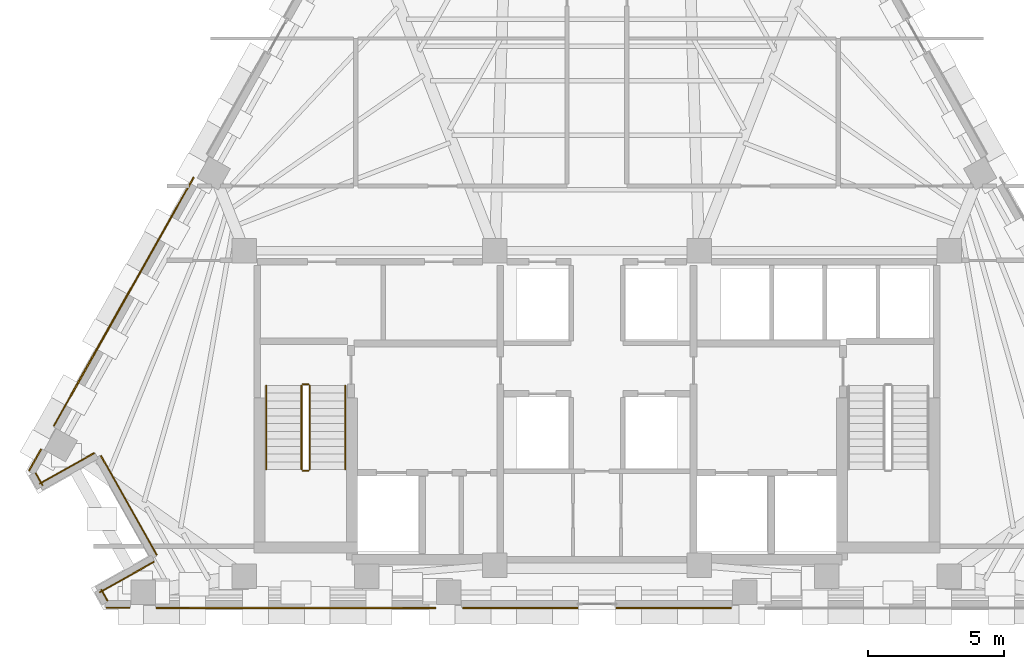
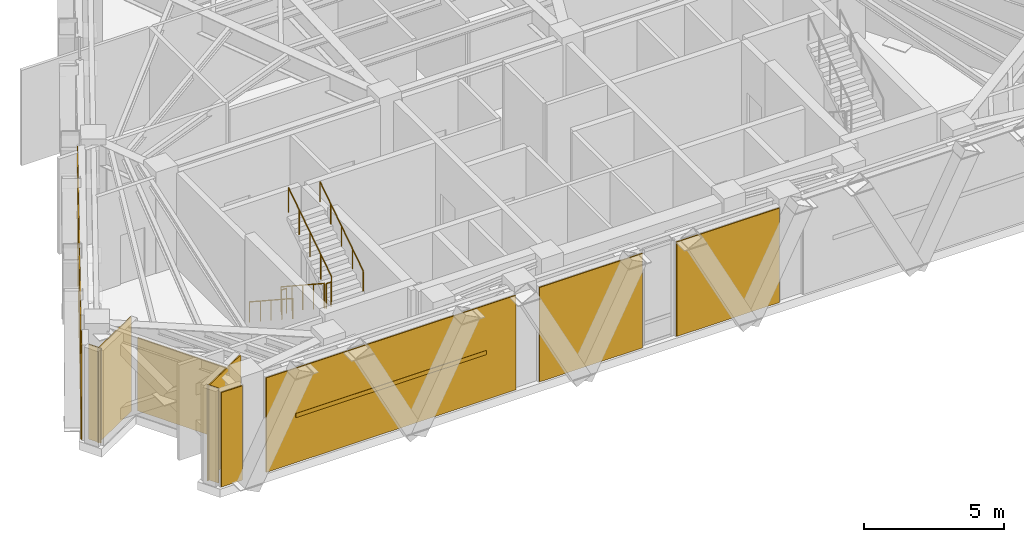
# One storey, part 9 of 11: 11 coverings, 6 railings, 2 shading devices.
"""IFC4 building model written with IfcOpenShell, lengths in metres."""

from ifc_helpers import new_model, si_unit, direction, frame, origin, origin_2d, place, context, subcontext, project, spatial, polyline, rectangle, circle, outline, extrude, material, layer, layer_set, material_profile, profile_set, type_object, element, save


model = new_model("IFC4")

# Units and contexts
model_context = context("Model", 3, precision=1e-05, world=origin(), true_north=direction((0.0, 1.0)))
body_context = subcontext(model_context, "Body", "Model", "MODEL_VIEW")
ifc_project = project(units=[si_unit("LENGTHUNIT", "METRE"), si_unit("AREAUNIT", "SQUARE_METRE"), si_unit("VOLUMEUNIT", "CUBIC_METRE"), si_unit("PLANEANGLEUNIT", "RADIAN"), si_unit("MASSUNIT", "GRAM", prefix="KILO")], contexts=[model_context])

# Site, building, storey
site_placement = place(None, origin())
site = spatial("IfcSite", under=ifc_project, at=site_placement, CompositionType="ELEMENT")
building_placement = place(site_placement, origin())
building = spatial("IfcBuilding", under=site, at=building_placement, Name="Quenlor Broadcast Tower", CompositionType="ELEMENT")
storey_placement = place(building_placement, frame((0.0, 0.0, 179.0)))
storey = spatial("IfcBuildingStorey", under=building, at=storey_placement, Name="L49", CompositionType="ELEMENT", Elevation=179.0)

# Coverings
ifc_material_1 = material(Name="Architectural Terracotta Ceramic", Category="masonry")
ifc_layer = layer(ifc_material_1, 0.044921875)
ifc_layer_set = layer_set([ifc_layer], Name="Fluted Terracotta Rainscreen Cladding Panel")
covering_type = type_object("IfcCoveringType", Name="Fluted Terracotta Rainscreen Cladding Panel", PredefinedType="CLADDING", material=ifc_layer_set)
covering_1_placement = place(storey_placement, frame((0.0, 0.0, 0.02001953125)))
element("IfcCovering", 1, at=covering_1_placement, inside=storey, type_object=covering_type, Name="L49 Terracotta Rainscreen Cladding L49-SHD-SS1", PredefinedType="CLADDING", context=body_context, shape_type="SweptSolid", body=[
    extrude(outline(polyline([(-17.160888671875, -17.886962890625), (-18.035888671875, -17.886962890625), (-18.035888671875, -17.931884765625), (-17.160888671875, -17.931884765625), (-17.160888671875, -17.886962890625)])), origin(), (0.0, 0.0, 1.0), 4.10986328125),
])
covering_2_placement = place(storey_placement, frame((0.0, 0.0, 0.02001953125)))
element("IfcCovering", 2, at=covering_2_placement, inside=storey, type_object=covering_type, Name="L49 Terracotta Rainscreen Cladding L49-EW-SC", PredefinedType="CLADDING", context=body_context, shape_type="SweptSolid", body=[
    extrude(outline(polyline([(-5.9228515625, -17.89697265625), (-16.19091796875, -17.89697265625), (-16.19091796875, -17.94189453125), (-5.9228515625, -17.94189453125), (-5.9228515625, -17.89697265625)])), origin(), (0.0, 0.0, 1.0), 4.10986328125),
])
covering_3_placement = place(storey_placement, frame((0.0, 0.0, 0.02001953125)))
element("IfcCovering", 3, at=covering_3_placement, inside=storey, type_object=covering_type, Name="L49 Terracotta Rainscreen Cladding L49-S-SP1", PredefinedType="CLADDING", context=body_context, shape_type="SweptSolid", body=[
    extrude(outline(polyline([(4.937744140625, -17.89697265625), (0.701416015625, -17.89697265625), (0.701416015625, -17.94189453125), (4.937744140625, -17.94189453125), (4.937744140625, -17.89697265625)])), origin(), (0.0, 0.0, 1.0), 4.10986328125),
])
covering_4_placement = place(storey_placement, frame((0.0, 0.0, 0.02001953125)))
element("IfcCovering", 4, at=covering_4_placement, inside=storey, type_object=covering_type, Name="L49 Terracotta Rainscreen Cladding L49-S-SP2", PredefinedType="CLADDING", context=body_context, shape_type="SweptSolid", body=[
    extrude(outline(polyline([(-0.701416015625, -17.89697265625), (-4.937744140625, -17.89697265625), (-4.937744140625, -17.94189453125), (-0.701416015625, -17.94189453125), (-0.701416015625, -17.89697265625)])), origin(), (0.0, 0.0, 1.0), 4.10986328125),
])
covering_5_placement = place(storey_placement, frame((0.0, 0.0, 0.02001953125)))
element("IfcCovering", 5, at=covering_5_placement, inside=storey, type_object=covering_type, Name="L49 Terracotta Rainscreen Cladding L49-SHD-NWS0", PredefinedType="CLADDING", context=body_context, shape_type="SweptSolid", body=[
    extrude(outline(polyline([(-20.845458984375, -12.888916015625), (-20.402099609375, -12.10107421875), (-20.44140625, -12.0791015625), (-20.884521484375, -12.866943359375), (-20.845458984375, -12.888916015625)])), origin(), (0.0, 0.0, 1.0), 4.10986328125),
])
covering_6_placement = place(storey_placement, frame((0.0, 0.0, 0.02001953125)))
element("IfcCovering", 6, at=covering_6_placement, inside=storey, type_object=covering_type, Name="L49 Terracotta Rainscreen Cladding L49-EW-NWA", PredefinedType="CLADDING", context=body_context, shape_type="SweptSolid", body=[
    extrude(outline(polyline([(-19.935302734375, -11.250732421875), (-14.7919921875, -2.106689453125), (-14.831298828125, -2.084716796875), (-19.974609375, -11.228759765625), (-19.935302734375, -11.250732421875)])), origin(), (0.0, 0.0, 1.0), 4.10986328125),
])
covering_7_placement = place(storey_placement, frame((0.0, 0.0, 0.02001953125)))
element("IfcCovering", 7, at=covering_7_placement, inside=storey, type_object=covering_type, Name="L49 Terracotta Rainscreen Cladding L49-CNR-12", PredefinedType="CLADDING", context=body_context, shape_type="SweptSolid", body=[
    extrude(outline(polyline([(-20.64306640625, -12.970458984375), (-20.38623046875, -13.427001953125), (-20.346923828125, -13.405029296875), (-20.60400390625, -12.948486328125), (-20.64306640625, -12.970458984375)])), origin(), (0.0, 0.0, 1.0), 4.10986328125),
])
covering_8_placement = place(storey_placement, frame((0.0, 0.0, 0.02001953125)))
element("IfcCovering", 8, at=covering_8_placement, inside=storey, type_object=covering_type, Name="L49 Terracotta Rainscreen Cladding L49-CNR-13", PredefinedType="CLADDING", context=body_context, shape_type="SweptSolid", body=[
    extrude(outline(polyline([(-20.462890625, -13.376220703125), (-18.45849609375, -12.248779296875), (-18.48046875, -12.20947265625), (-20.485107421875, -13.337158203125), (-20.462890625, -13.376220703125)])), origin(), (0.0, 0.0, 1.0), 4.10986328125),
])
covering_9_placement = place(storey_placement, frame((0.0, 0.0, 0.02001953125)))
element("IfcCovering", 9, at=covering_9_placement, inside=storey, type_object=covering_type, Name="L49 Terracotta Rainscreen Cladding L49-CNR-14", PredefinedType="CLADDING", context=body_context, shape_type="SweptSolid", body=[
    extrude(outline(polyline([(-18.245361328125, -12.337646484375), (-16.19140625, -15.9892578125), (-16.152099609375, -15.96728515625), (-18.206298828125, -12.315673828125), (-18.245361328125, -12.337646484375)])), origin(), (0.0, 0.0, 1.0), 3.18603515625),
])
covering_10_placement = place(storey_placement, frame((0.0, 0.0, 0.02001953125)))
element("IfcCovering", 10, at=covering_10_placement, inside=storey, type_object=covering_type, Name="L49 Terracotta Rainscreen Cladding L49-CNR-15", PredefinedType="CLADDING", context=body_context, shape_type="SweptSolid", body=[
    extrude(outline(polyline([(-16.2802734375, -16.2021484375), (-18.284912109375, -17.329833984375), (-18.262939453125, -17.368896484375), (-16.25830078125, -16.241455078125), (-16.2802734375, -16.2021484375)])), origin(), (0.0, 0.0, 1.0), 4.10986328125),
])
covering_11_placement = place(storey_placement, frame((0.0, 0.0, 0.02001953125)))
element("IfcCovering", 11, at=covering_11_placement, inside=storey, type_object=covering_type, Name="L49 Terracotta Rainscreen Cladding L49-CNR-16", PredefinedType="CLADDING", context=body_context, shape_type="SweptSolid", body=[
    extrude(outline(polyline([(-18.234130859375, -17.2529296875), (-17.99853515625, -17.671875), (-17.959228515625, -17.64990234375), (-18.19482421875, -17.23095703125), (-18.234130859375, -17.2529296875)])), origin(), (0.0, 0.0, 1.0), 4.10986328125),
])

# Railings
ifc_material_2 = material(Name="Anodised Aluminium", Category="aluminium")
railing_type_1 = type_object("IfcRailingType", Name="Stainless Aluminium Wall Handrail 900", PredefinedType="HANDRAIL", material=ifc_material_2)
railing_1_placement = place(storey_placement, frame((-12.14990234375, -9.75, 0.183349609375)))
element("IfcRailing", 12, at=railing_1_placement, inside=storey, type_object=railing_type_1, Name="L49 ST-1 stair handrail 1", PredefinedType="HANDRAIL", context=body_context, shape_type="SweptSolid", body=[
    extrude(circle(Radius=0.02392578125, at=origin_2d()), frame((0.0, 0.0, 0.8759765625), z_axis=(0.0, -0.836633000464, 0.547763838287), x_axis=(1.0, 0.0, 0.0)), (0.0, 0.0, 1.0), 3.681396484375),
    extrude(circle(Radius=0.02099609375, at=origin_2d()), origin(), (0.0, 0.0, 1.0), 0.851806640625),
    extrude(circle(Radius=0.02099609375, at=origin_2d()), frame((0.0, -0.77001953125, 0.504150390625)), (0.0, 0.0, 1.0), 0.851806640625),
    extrude(circle(Radius=0.02099609375, at=origin_2d()), frame((0.0, -1.5400390625, 1.00830078125)), (0.0, 0.0, 1.0), 0.851806640625),
    extrude(circle(Radius=0.02099609375, at=origin_2d()), frame((0.0, -2.31005859375, 1.512451171875)), (0.0, 0.0, 1.0), 0.851806640625),
    extrude(circle(Radius=0.02099609375, at=origin_2d()), frame((0.0, -3.080078125, 2.0166015625)), (0.0, 0.0, 1.0), 0.851806640625),
])
railing_2_placement = place(storey_placement, frame((-9.25, -12.830078125, 2.38330078125)))
element("IfcRailing", 13, at=railing_2_placement, inside=storey, type_object=railing_type_1, Name="L49 ST-1 stair handrail 2", PredefinedType="HANDRAIL", context=body_context, shape_type="SweptSolid", body=[
    extrude(circle(Radius=0.02392578125, at=origin_2d()), frame((0.0, 0.0, 0.8759765625), z_axis=(0.0, 0.836633000464, 0.547763838287), x_axis=(-1.0, 0.0, 0.0)), (0.0, 0.0, 1.0), 3.681396484375),
    extrude(circle(Radius=0.02099609375, at=origin_2d()), origin(), (0.0, 0.0, 1.0), 0.851806640625),
    extrude(circle(Radius=0.02099609375, at=origin_2d()), frame((0.0, 0.77001953125, 0.504150390625)), (0.0, 0.0, 1.0), 0.851806640625),
    extrude(circle(Radius=0.02099609375, at=origin_2d()), frame((0.0, 1.5400390625, 1.00830078125)), (0.0, 0.0, 1.0), 0.851806640625),
    extrude(circle(Radius=0.02099609375, at=origin_2d()), frame((0.0, 2.31005859375, 1.512451171875)), (0.0, 0.0, 1.0), 0.851806640625),
    extrude(circle(Radius=0.02099609375, at=origin_2d()), frame((0.0, 3.080078125, 2.0166015625)), (0.0, 0.0, 1.0), 0.851806640625),
])

# Shading devices
ifc_material_3 = material(Name="Architectural Terracotta Ceramic", Category="masonry")
ifc_material_profile = material_profile(ifc_material_3, rectangle(XDim=0.06005859375, YDim=0.179931640625, at=origin_2d()))
ifc_profile_set = profile_set([ifc_material_profile], Name="Architectural Terracotta Ceramic LVR60x180")
shading_device_type = type_object("IfcShadingDeviceType", Name="Terracotta Acoustic Plant Weather Louvre 180", PredefinedType="JALOUSIE", material=ifc_profile_set)
shading_device_1_placement = place(storey_placement, frame((-7.132080078125, -17.923095703125, 2.074951171875), z_axis=(-1.0, 0.0, 0.0), x_axis=(0.0, -1.0, 0.0)))
element("IfcShadingDevice", 14, at=shading_device_1_placement, inside=storey, type_object=shading_device_type, Name="L49 Plant Weather Louvre L49-LV-SC", PredefinedType="JALOUSIE", context=body_context, shape_type="SweptSolid", body=[
    extrude(rectangle(XDim=0.06005859375, YDim=0.179931640625, at=origin_2d()), origin(), (0.0, 0.0, 1.0), 7.849365234375),
])
shading_device_2_placement = place(storey_placement, frame((-19.35205078125, -10.16064453125, 2.074951171875), z_axis=(0.490255457786, 0.871578789388, 0.0), x_axis=(-0.871578789388, 0.490255457786, 0.0)))
element("IfcShadingDevice", 15, at=shading_device_2_placement, inside=storey, type_object=shading_device_type, Name="L49 Plant Weather Louvre L49-LV-NWA", PredefinedType="JALOUSIE", context=body_context, shape_type="SweptSolid", body=[
    extrude(rectangle(XDim=0.06005859375, YDim=0.179931640625, at=origin_2d()), origin(), (0.0, 0.0, 1.0), 8.01904296875),
])

# Railings
ifc_material_4 = material(Name="Steel S355", Category="steel")
railing_type_2 = type_object("IfcRailingType", Name="Tubular Steel S355 Stair Guardrail 1100", PredefinedType="BALUSTRADE", material=ifc_material_4)
railing_3_placement = place(storey_placement, frame((-10.85009765625, -9.75, 0.183349609375)))
element("IfcRailing", 16, at=railing_3_placement, inside=storey, type_object=railing_type_2, Name="L49 ST-1 stair guard 1", PredefinedType="BALUSTRADE", context=body_context, shape_type="SweptSolid", body=[
    extrude(circle(Radius=0.02392578125, at=origin_2d()), frame((0.0, 0.0, 1.076171875), z_axis=(0.0, -0.836633000464, 0.547763838287), x_axis=(1.0, 0.0, 0.0)), (0.0, 0.0, 1.0), 3.681396484375),
    extrude(circle(Radius=0.02099609375, at=origin_2d()), origin(), (0.0, 0.0, 1.0), 1.052001953125),
    extrude(circle(Radius=0.02099609375, at=origin_2d()), frame((0.0, -0.77001953125, 0.504150390625)), (0.0, 0.0, 1.0), 1.052001953125),
    extrude(circle(Radius=0.02099609375, at=origin_2d()), frame((0.0, -1.5400390625, 1.00830078125)), (0.0, 0.0, 1.0), 1.052001953125),
    extrude(circle(Radius=0.02099609375, at=origin_2d()), frame((0.0, -2.31005859375, 1.512451171875)), (0.0, 0.0, 1.0), 1.052001953125),
    extrude(circle(Radius=0.02099609375, at=origin_2d()), frame((0.0, -3.080078125, 2.0166015625)), (0.0, 0.0, 1.0), 1.052001953125),
])
railing_4_placement = place(storey_placement, frame((-10.800048828125, -12.8798828125, 2.199951171875)))
element("IfcRailing", 17, at=railing_4_placement, inside=storey, type_object=railing_type_2, Name="L49 ST-1 stair guard 2", PredefinedType="BALUSTRADE", context=body_context, shape_type="SweptSolid", body=[
    extrude(circle(Radius=0.02392578125, at=origin_2d()), frame((0.0, 0.0, 1.076171875), z_axis=(1.0, 0.0, 0.0), x_axis=(0.0, 1.0, 0.0)), (0.0, 0.0, 1.0), 0.199951171875),
    extrude(circle(Radius=0.02099609375, at=origin_2d()), origin(), (0.0, 0.0, 1.0), 1.052001953125),
    extrude(circle(Radius=0.02099609375, at=origin_2d()), frame((0.199951171875, 0.0, 0.0)), (0.0, 0.0, 1.0), 1.052001953125),
])
railing_5_placement = place(storey_placement, frame((-10.550048828125, -12.830078125, 2.38330078125)))
element("IfcRailing", 18, at=railing_5_placement, inside=storey, type_object=railing_type_2, Name="L49 ST-1 stair guard 3", PredefinedType="BALUSTRADE", context=body_context, shape_type="SweptSolid", body=[
    extrude(circle(Radius=0.02392578125, at=origin_2d()), frame((0.0, 0.0, 1.076171875), z_axis=(0.0, 0.836633000464, 0.547763838287), x_axis=(-1.0, 0.0, 0.0)), (0.0, 0.0, 1.0), 3.681396484375),
    extrude(circle(Radius=0.02099609375, at=origin_2d()), origin(), (0.0, 0.0, 1.0), 1.052001953125),
    extrude(circle(Radius=0.02099609375, at=origin_2d()), frame((0.0, 0.77001953125, 0.504150390625)), (0.0, 0.0, 1.0), 1.052001953125),
    extrude(circle(Radius=0.02099609375, at=origin_2d()), frame((0.0, 1.5400390625, 1.00830078125)), (0.0, 0.0, 1.0), 1.052001953125),
    extrude(circle(Radius=0.02099609375, at=origin_2d()), frame((0.0, 2.31005859375, 1.512451171875)), (0.0, 0.0, 1.0), 1.052001953125),
    extrude(circle(Radius=0.02099609375, at=origin_2d()), frame((0.0, 3.080078125, 2.0166015625)), (0.0, 0.0, 1.0), 1.052001953125),
])
railing_6_placement = place(storey_placement, frame((-10.800048828125, -9.699951171875, 0.0)))
element("IfcRailing", 19, at=railing_6_placement, inside=storey, type_object=railing_type_2, Name="L49 ST-1 stair guard 4", PredefinedType="BALUSTRADE", context=body_context, shape_type="SweptSolid", body=[
    extrude(circle(Radius=0.02392578125, at=origin_2d()), frame((0.0, 0.0, 1.076171875), z_axis=(1.0, 0.0, 0.0), x_axis=(0.0, 1.0, 0.0)), (0.0, 0.0, 1.0), 0.199951171875),
    extrude(circle(Radius=0.02099609375, at=origin_2d()), origin(), (0.0, 0.0, 1.0), 1.052001953125),
    extrude(circle(Radius=0.02099609375, at=origin_2d()), frame((0.199951171875, 0.0, 0.0)), (0.0, 0.0, 1.0), 1.052001953125),
])

save(model, "model.ifc")
